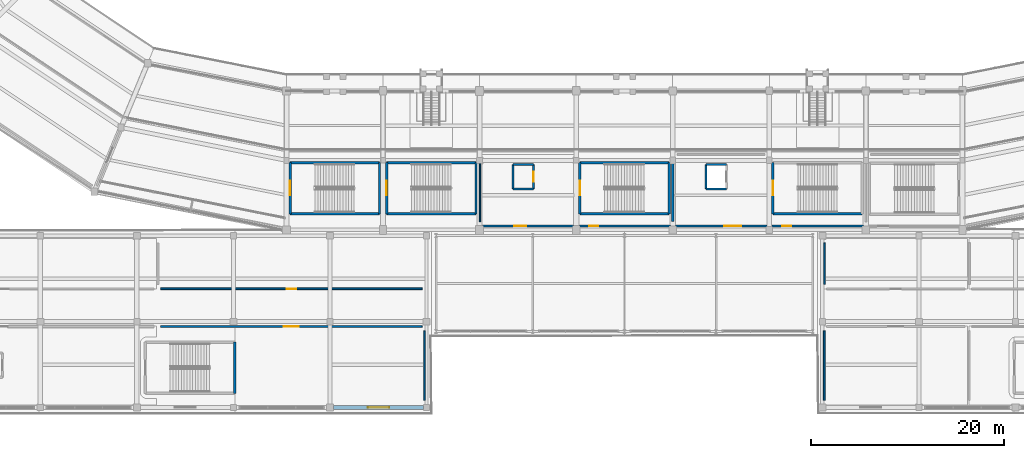
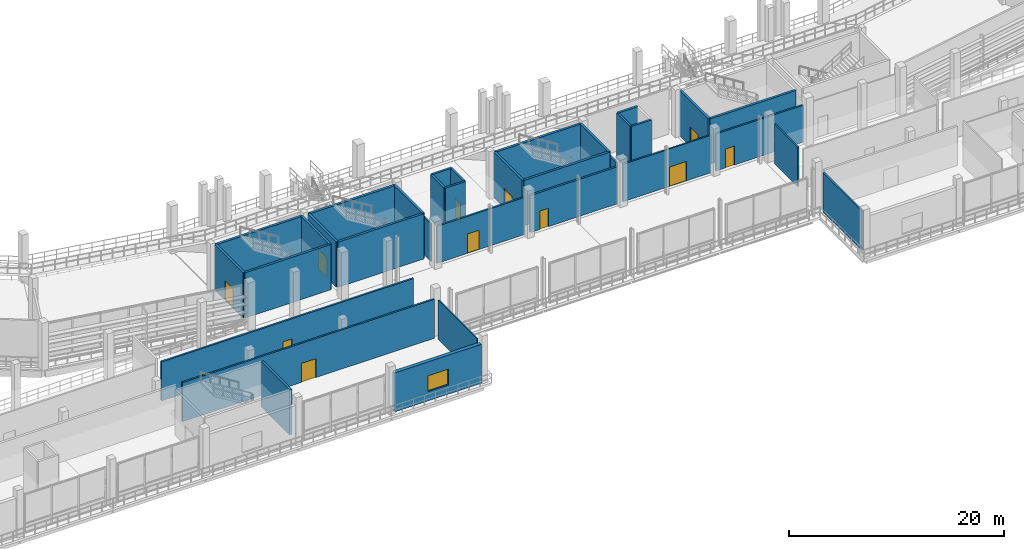
# One storey, part 74 of 127: 34 walls, 11 doors, 1 window, 12 openings.
"""IFC4 building model written with IfcOpenShell, lengths in metres."""

from ifc_helpers import new_model, si_unit, direction, frame, frame_2d, origin, place, context, subcontext, project, spatial, rectangle, extrude, material, layer, layer_set, type_object, element, fill, save


model = new_model("IFC4")

# Units and contexts
model_context = context("Model", 3, precision=1e-05, world=origin(), true_north=direction((0.0, 1.0)))
body_context = subcontext(model_context, "Body", "Model", "MODEL_VIEW")
ifc_project = project(units=[si_unit("LENGTHUNIT", "METRE"), si_unit("AREAUNIT", "SQUARE_METRE"), si_unit("VOLUMEUNIT", "CUBIC_METRE"), si_unit("PLANEANGLEUNIT", "RADIAN"), si_unit("MASSUNIT", "GRAM", prefix="KILO")], contexts=[model_context])

# Site, building, storey
site_placement = place(None, origin())
site = spatial("IfcSite", under=ifc_project, at=site_placement, CompositionType="ELEMENT")
building_placement = place(site_placement, origin())
building = spatial("IfcBuilding", under=site, at=building_placement, Name="Candeia Ridge Stadium", CompositionType="ELEMENT")
storey_placement = place(building_placement, frame((0.0, 0.0, 10.800048828125)))
storey = spatial("IfcBuildingStorey", under=building, at=storey_placement, Name="L02", CompositionType="ELEMENT", Elevation=10.800048828125)

# Walls
ifc_material_1 = material(Name="Concrete C40/50", Category="concrete")
ifc_layer_1 = layer(ifc_material_1, 0.25, Name="Concrete C40/50", Category="concrete")
ifc_layer_set_1 = layer_set([ifc_layer_1], Name="Concrete C40/50")
wall_type_1 = type_object("IfcWallType", Name="Core Shear Wall Concrete 250", PredefinedType="SHEAR", material=ifc_layer_set_1)
wall_1_placement = place(storey_placement, frame((71.37548828125, 20.67529296875, 0.0), z_axis=(0.0, 0.0, 1.0), x_axis=(1.0, 0.0, 0.0)))
element("IfcWall", 1, at=wall_1_placement, inside=storey, type_object=wall_type_1, Name="Core C02 left shear wall L02", PredefinedType="SHEAR", context=body_context, shape_type="SweptSolid", body=[
    extrude(rectangle(XDim=9.2490234375, YDim=0.25, at=frame_2d((4.62451171875, 0.0))), origin(), (0.0, 0.0, 1.0), 5.14990234375),
])
wall_2_placement = place(storey_placement, frame((80.62451171875, 20.67529296875, 0.0), z_axis=(0.0, 0.0, 1.0), x_axis=(0.0, 1.0, 0.0)))
element("IfcWall", 2, at=wall_2_placement, inside=storey, type_object=wall_type_1, Name="Core C02 far shear wall L02", PredefinedType="SHEAR", context=body_context, shape_type="SweptSolid", body=[
    extrude(rectangle(XDim=5.29931640625, YDim=0.25, at=frame_2d((2.649658203125, 0.0))), origin(), (0.0, 0.0, 1.0), 5.14990234375),
])
wall_3_placement = place(storey_placement, frame((80.62451171875, 25.974609375, 0.0), z_axis=(0.0, 0.0, 1.0), x_axis=(-1.0, 0.0, 0.0)))
element("IfcWall", 3, at=wall_3_placement, inside=storey, type_object=wall_type_1, Name="Core C02 right shear wall L02", PredefinedType="SHEAR", context=body_context, shape_type="SweptSolid", body=[
    extrude(rectangle(XDim=9.2490234375, YDim=0.25, at=frame_2d((4.62451171875, 0.0))), origin(), (0.0, 0.0, 1.0), 5.14990234375),
])

# Wall, opening, door
wall_4_placement = place(storey_placement, frame((71.37548828125, 25.974609375, 0.0), z_axis=(0.0, 0.0, 1.0), x_axis=(0.0, -1.0, 0.0)))
wall_4 = element("IfcWall", 4, at=wall_4_placement, inside=storey, type_object=wall_type_1, Name="Core C02 near shear wall L02", PredefinedType="SHEAR", context=body_context, shape_type="SweptSolid", body=[
    extrude(rectangle(XDim=5.29931640625, YDim=0.25, at=frame_2d((2.649658203125, 0.0))), origin(), (0.0, 0.0, 1.0), 5.14990234375),
])
opening_1_placement = place(wall_4_placement, frame((1.899658203125, 0.0, 0.0)))
opening_1 = element("IfcOpeningElement", 5, at=opening_1_placement, cuts=wall_4, Name="Opening FD01", PredefinedType="OPENING", context=body_context, shape_type="SweptSolid", body=[
    extrude(rectangle(XDim=1.5, YDim=2.199951171875, at=frame_2d((0.75, 1.10009765625))), frame((0.0, 0.135009765625, 0.0), z_axis=(0.0, -1.0, 0.0), x_axis=(1.0, 0.0, 0.0)), (0.0, 0.0, 1.0), 0.27001953125),
])
ifc_material_2 = material(Name="Galvanized Fire-Rated Steel", Category="steel")
door_type_1 = type_object("IfcDoorType", Name="Exit Stair Core Fire Door 1500x2200", OperationType="NOTDEFINED", PredefinedType="DOOR", material=ifc_material_2)
door_1_placement = place(opening_1_placement, origin())
door_1 = element("IfcDoor", 6, at=door_1_placement, inside=storey, type_object=door_type_1, Name="Exit stair fire door SD-ST02-L02", OperationType="DOUBLE_DOOR_SINGLE_SWING", OverallHeight=2.199951171875, OverallWidth=1.5, PredefinedType="DOOR", context=body_context, shape_type="SweptSolid", body=[
    extrude(rectangle(XDim=1.5, YDim=2.199951171875, at=frame_2d((0.75, 1.10009765625))), frame((0.0, 0.02490234375, 0.0), z_axis=(0.0, -1.0, 0.0), x_axis=(1.0, 0.0, 0.0)), (0.0, 0.0, 1.0), 0.050048828125),
])
fill(opening_1, door_1)

# Walls
wall_5_placement = place(storey_placement, frame((81.37548828125, 20.67529296875, 0.0), z_axis=(0.0, 0.0, 1.0), x_axis=(1.0, 0.0, 0.0)))
element("IfcWall", 7, at=wall_5_placement, inside=storey, type_object=wall_type_1, Name="Core C11 left shear wall L02", PredefinedType="SHEAR", context=body_context, shape_type="SweptSolid", body=[
    extrude(rectangle(XDim=9.2490234375, YDim=0.25, at=frame_2d((4.62451171875, 0.0))), origin(), (0.0, 0.0, 1.0), 5.14990234375),
])
wall_6_placement = place(storey_placement, frame((90.62451171875, 20.67529296875, 0.0), z_axis=(0.0, 0.0, 1.0), x_axis=(0.0, 1.0, 0.0)))
element("IfcWall", 8, at=wall_6_placement, inside=storey, type_object=wall_type_1, Name="Core C11 far shear wall L02", PredefinedType="SHEAR", context=body_context, shape_type="SweptSolid", body=[
    extrude(rectangle(XDim=5.29931640625, YDim=0.25, at=frame_2d((2.649658203125, 0.0))), origin(), (0.0, 0.0, 1.0), 5.14990234375),
])
wall_7_placement = place(storey_placement, frame((90.62451171875, 25.974609375, 0.0), z_axis=(0.0, 0.0, 1.0), x_axis=(-1.0, 0.0, 0.0)))
element("IfcWall", 9, at=wall_7_placement, inside=storey, type_object=wall_type_1, Name="Core C11 right shear wall L02", PredefinedType="SHEAR", context=body_context, shape_type="SweptSolid", body=[
    extrude(rectangle(XDim=9.2490234375, YDim=0.25, at=frame_2d((4.62451171875, 0.0))), origin(), (0.0, 0.0, 1.0), 5.14990234375),
])

# Wall, opening, door
wall_8_placement = place(storey_placement, frame((81.37548828125, 25.974609375, 0.0), z_axis=(0.0, 0.0, 1.0), x_axis=(0.0, -1.0, 0.0)))
wall_8 = element("IfcWall", 10, at=wall_8_placement, inside=storey, type_object=wall_type_1, Name="Core C11 near shear wall L02", PredefinedType="SHEAR", context=body_context, shape_type="SweptSolid", body=[
    extrude(rectangle(XDim=5.29931640625, YDim=0.25, at=frame_2d((2.649658203125, 0.0))), origin(), (0.0, 0.0, 1.0), 5.14990234375),
])
opening_2_placement = place(wall_8_placement, frame((1.899658203125, 0.0, 0.0)))
opening_2 = element("IfcOpeningElement", 11, at=opening_2_placement, cuts=wall_8, Name="Opening FD01", PredefinedType="OPENING", context=body_context, shape_type="SweptSolid", body=[
    extrude(rectangle(XDim=1.5, YDim=2.199951171875, at=frame_2d((0.75, 1.10009765625))), frame((0.0, 0.135009765625, 0.0), z_axis=(0.0, -1.0, 0.0), x_axis=(1.0, 0.0, 0.0)), (0.0, 0.0, 1.0), 0.27001953125),
])
door_2_placement = place(opening_2_placement, origin())
door_2 = element("IfcDoor", 12, at=door_2_placement, inside=storey, type_object=door_type_1, Name="Exit stair fire door SD-ST11-L02", OperationType="DOUBLE_DOOR_SINGLE_SWING", OverallHeight=2.199951171875, OverallWidth=1.5, PredefinedType="DOOR", context=body_context, shape_type="SweptSolid", body=[
    extrude(rectangle(XDim=1.5, YDim=2.199951171875, at=frame_2d((0.75, 1.10009765625))), frame((0.0, 0.02490234375, 0.0), z_axis=(0.0, -1.0, 0.0), x_axis=(1.0, 0.0, 0.0)), (0.0, 0.0, 1.0), 0.050048828125),
])
fill(opening_2, door_2)

# Wall
wall_9_placement = place(storey_placement, frame((121.37548828125, 20.67529296875, 0.0), z_axis=(0.0, 0.0, 1.0), x_axis=(1.0, 0.0, 0.0)))
element("IfcWall", 13, at=wall_9_placement, inside=storey, type_object=wall_type_1, Name="Core C12 left shear wall L02", PredefinedType="SHEAR", context=body_context, shape_type="SweptSolid", body=[
    extrude(rectangle(XDim=9.2490234375, YDim=0.25, at=frame_2d((4.62451171875, 0.0))), origin(), (0.0, 0.0, 1.0), 5.14990234375),
])

# Wall, opening, door
wall_10_placement = place(storey_placement, frame((121.37548828125, 25.974609375, 0.0), z_axis=(0.0, 0.0, 1.0), x_axis=(0.0, -1.0, 0.0)))
wall_10 = element("IfcWall", 14, at=wall_10_placement, inside=storey, type_object=wall_type_1, Name="Core C12 near shear wall L02", PredefinedType="SHEAR", context=body_context, shape_type="SweptSolid", body=[
    extrude(rectangle(XDim=5.29931640625, YDim=0.25, at=frame_2d((2.649658203125, 0.0))), origin(), (0.0, 0.0, 1.0), 5.14990234375),
])
opening_3_placement = place(wall_10_placement, frame((1.899658203125, 0.0, 0.0)))
opening_3 = element("IfcOpeningElement", 15, at=opening_3_placement, cuts=wall_10, Name="Opening FD01", PredefinedType="OPENING", context=body_context, shape_type="SweptSolid", body=[
    extrude(rectangle(XDim=1.5, YDim=2.199951171875, at=frame_2d((0.75, 1.10009765625))), frame((0.0, 0.135009765625, 0.0), z_axis=(0.0, -1.0, 0.0), x_axis=(1.0, 0.0, 0.0)), (0.0, 0.0, 1.0), 0.27001953125),
])
door_3_placement = place(opening_3_placement, origin())
door_3 = element("IfcDoor", 16, at=door_3_placement, inside=storey, type_object=door_type_1, Name="Exit stair fire door SD-ST12-L02", OperationType="DOUBLE_DOOR_SINGLE_SWING", OverallHeight=2.199951171875, OverallWidth=1.5, PredefinedType="DOOR", context=body_context, shape_type="SweptSolid", body=[
    extrude(rectangle(XDim=1.5, YDim=2.199951171875, at=frame_2d((0.75, 1.10009765625))), frame((0.0, 0.02490234375, 0.0), z_axis=(0.0, -1.0, 0.0), x_axis=(1.0, 0.0, 0.0)), (0.0, 0.0, 1.0), 0.050048828125),
])
fill(opening_3, door_3)

# Walls
wall_11_placement = place(storey_placement, frame((65.62451171875, 2.075439453125, 0.0), z_axis=(0.0, 0.0, 1.0), x_axis=(0.0, 1.0, 0.0)))
element("IfcWall", 17, at=wall_11_placement, inside=storey, type_object=wall_type_1, Name="Core C13 far shear wall L02", PredefinedType="SHEAR", context=body_context, shape_type="SweptSolid", body=[
    extrude(rectangle(XDim=5.299072265625, YDim=0.25, at=frame_2d((2.6494140625, 0.0))), origin(), (0.0, 0.0, 1.0), 5.14990234375),
])
wall_12_placement = place(storey_placement, frame((101.37548828125, 20.67529296875, 0.0), z_axis=(0.0, 0.0, 1.0), x_axis=(1.0, 0.0, 0.0)))
element("IfcWall", 18, at=wall_12_placement, inside=storey, type_object=wall_type_1, Name="Core C18 left shear wall L02", PredefinedType="SHEAR", context=body_context, shape_type="SweptSolid", body=[
    extrude(rectangle(XDim=9.2490234375, YDim=0.25, at=frame_2d((4.62451171875, 0.0))), origin(), (0.0, 0.0, 1.0), 5.14990234375),
])
wall_13_placement = place(storey_placement, frame((110.62451171875, 20.67529296875, 0.0), z_axis=(0.0, 0.0, 1.0), x_axis=(0.0, 1.0, 0.0)))
element("IfcWall", 19, at=wall_13_placement, inside=storey, type_object=wall_type_1, Name="Core C18 far shear wall L02", PredefinedType="SHEAR", context=body_context, shape_type="SweptSolid", body=[
    extrude(rectangle(XDim=5.29931640625, YDim=0.25, at=frame_2d((2.649658203125, 0.0))), origin(), (0.0, 0.0, 1.0), 5.14990234375),
])
wall_14_placement = place(storey_placement, frame((110.62451171875, 25.974609375, 0.0), z_axis=(0.0, 0.0, 1.0), x_axis=(-1.0, 0.0, 0.0)))
element("IfcWall", 20, at=wall_14_placement, inside=storey, type_object=wall_type_1, Name="Core C18 right shear wall L02", PredefinedType="SHEAR", context=body_context, shape_type="SweptSolid", body=[
    extrude(rectangle(XDim=9.2490234375, YDim=0.25, at=frame_2d((4.62451171875, 0.0))), origin(), (0.0, 0.0, 1.0), 5.14990234375),
])

# Wall, opening, door
wall_15_placement = place(storey_placement, frame((101.37548828125, 25.974609375, 0.0), z_axis=(0.0, 0.0, 1.0), x_axis=(0.0, -1.0, 0.0)))
wall_15 = element("IfcWall", 21, at=wall_15_placement, inside=storey, type_object=wall_type_1, Name="Core C18 near shear wall L02", PredefinedType="SHEAR", context=body_context, shape_type="SweptSolid", body=[
    extrude(rectangle(XDim=5.29931640625, YDim=0.25, at=frame_2d((2.649658203125, 0.0))), origin(), (0.0, 0.0, 1.0), 5.14990234375),
])
opening_4_placement = place(wall_15_placement, frame((1.899658203125, 0.0, 0.0)))
opening_4 = element("IfcOpeningElement", 22, at=opening_4_placement, cuts=wall_15, Name="Opening FD01", PredefinedType="OPENING", context=body_context, shape_type="SweptSolid", body=[
    extrude(rectangle(XDim=1.5, YDim=2.199951171875, at=frame_2d((0.75, 1.10009765625))), frame((0.0, 0.135009765625, 0.0), z_axis=(0.0, -1.0, 0.0), x_axis=(1.0, 0.0, 0.0)), (0.0, 0.0, 1.0), 0.27001953125),
])
door_4_placement = place(opening_4_placement, origin())
door_4 = element("IfcDoor", 23, at=door_4_placement, inside=storey, type_object=door_type_1, Name="Exit stair fire door SD-ST18-L02", OperationType="DOUBLE_DOOR_SINGLE_SWING", OverallHeight=2.199951171875, OverallWidth=1.5, PredefinedType="DOOR", context=body_context, shape_type="SweptSolid", body=[
    extrude(rectangle(XDim=1.5, YDim=2.199951171875, at=frame_2d((0.75, 1.10009765625))), frame((0.0, 0.02490234375, 0.0), z_axis=(0.0, -1.0, 0.0), x_axis=(1.0, 0.0, 0.0)), (0.0, 0.0, 1.0), 0.050048828125),
])
fill(opening_4, door_4)

ifc_material_3 = material(Name="Gypsum Acoustic Twin-Stud Assembly", Category="gypsum")
ifc_layer_2 = layer(ifc_material_3, 0.179931640625, Name="Gypsum Acoustic Twin-Stud Assembly", Category="gypsum")
ifc_layer_set_2 = layer_set([ifc_layer_2], Name="Gypsum Acoustic Twin-Stud Assembly")
wall_type_2 = type_object("IfcWallType", Name="Corridor Fire Partition 180", PredefinedType="PARTITIONING", material=ifc_layer_set_2)
wall_16_placement = place(storey_placement, frame((130.75, 19.39990234375, 0.0), z_axis=(0.0, 0.0, 1.0), x_axis=(-1.0, 0.0, 0.0)))
wall_16 = element("IfcWall", 24, at=wall_16_placement, inside=storey, type_object=wall_type_2, Name="Interior partition PT-L02-0481", PredefinedType="PARTITIONING", context=body_context, shape_type="SweptSolid", body=[
    extrude(rectangle(XDim=9.4599609375, YDim=0.179931640625, at=frame_2d((4.72998046875, 0.0))), origin(), (0.0, 0.0, 1.0), 4.21484375),
])
opening_5_placement = place(wall_16_placement, frame((7.455078125, 0.0, 0.0)))
opening_5 = element("IfcOpeningElement", 25, at=opening_5_placement, cuts=wall_16, Name="Opening ID05", PredefinedType="OPENING", context=body_context, shape_type="SweptSolid", body=[
    extrude(rectangle(XDim=0.949951171875, YDim=2.14990234375, at=frame_2d((0.47509765625, 1.074951171875))), frame((0.0, 0.099853515625, 0.0), z_axis=(0.0, -1.0, 0.0), x_axis=(1.0, 0.0, 0.0)), (0.0, 0.0, 1.0), 0.199951171875),
])
ifc_material_4 = material(Name="Solid Core Cedar Veneer", Category="wood")
door_type_2 = type_object("IfcDoorType", Name="General Room Single Door 950x2150", OperationType="NOTDEFINED", PredefinedType="DOOR", material=ifc_material_4)
door_5_placement = place(opening_5_placement, frame((0.949951171875, 0.0, 0.0), z_axis=(0.0, 0.0, 1.0), x_axis=(-1.0, 0.0, 0.0)))
door_5 = element("IfcDoor", 26, at=door_5_placement, inside=storey, type_object=door_type_2, Name="Interior room door D-L02-0248", OperationType="SINGLE_SWING_RIGHT", OverallHeight=2.14990234375, OverallWidth=0.949951171875, PredefinedType="DOOR", context=body_context, shape_type="SweptSolid", body=[
    extrude(rectangle(XDim=0.949951171875, YDim=2.14990234375, at=frame_2d((0.47509765625, 1.074951171875))), frame((0.0, 0.02490234375, 0.0), z_axis=(0.0, -1.0, 0.0), x_axis=(1.0, 0.0, 0.0)), (0.0, 0.0, 1.0), 0.050048828125),
])
fill(opening_5, door_5)

# Wall, opening, window
ifc_layer_3 = layer(ifc_material_1, 0.3798828125, Name="Concrete C40/50", Category="concrete")
ifc_layer_set_3 = layer_set([ifc_layer_3], Name="Concrete C40/50")
wall_type_3 = type_object("IfcWallType", Name="Exterior Museum Gallery Wall 380", PredefinedType="SOLIDWALL", material=ifc_layer_set_3)
wall_17_placement = place(storey_placement, frame((75.837890625, 0.60009765625, 0.0), z_axis=(0.0, 0.0, 1.0), x_axis=(1.0, 0.0, 0.0)))
wall_17 = element("IfcWall", 27, at=wall_17_placement, inside=storey, type_object=wall_type_3, Name="Exterior facade wall EW-L02-0178", PredefinedType="SOLIDWALL", context=body_context, shape_type="SweptSolid", body=[
    extrude(rectangle(XDim=9.34912109375, YDim=0.3798828125, at=frame_2d((4.674560546875, 0.0))), origin(), (0.0, 0.0, 1.0), 4.43505859375),
])
opening_6_placement = place(wall_17_placement, frame((3.574462890625, 0.0, 1.050048828125)))
opening_6 = element("IfcOpeningElement", 28, at=opening_6_placement, cuts=wall_17, Name="Opening W07", PredefinedType="OPENING", context=body_context, shape_type="SweptSolid", body=[
    extrude(rectangle(XDim=2.199951171875, YDim=1.800048828125, at=frame_2d((1.10009765625, 0.89990234375))), frame((0.0, 0.199951171875, 0.0), z_axis=(0.0, -1.0, 0.0), x_axis=(1.0, 0.0, 0.0)), (0.0, 0.0, 1.0), 0.39990234375),
])
ifc_material_5 = material(Name="Tempered Solar-Control Double Glazing", Category="glass")
window_type = type_object("IfcWindowType", Name="Museum Gallery Window 2200x1800", PartitioningType="SINGLE_PANEL", PredefinedType="WINDOW", material=ifc_material_5)
window_placement = place(opening_6_placement, origin())
window = element("IfcWindow", 29, at=window_placement, inside=storey, type_object=window_type, Name="Exterior window WIN-L02-099", OverallHeight=1.800048828125, OverallWidth=2.199951171875, PartitioningType="SINGLE_PANEL", PredefinedType="WINDOW", context=body_context, shape_type="SweptSolid", body=[
    extrude(rectangle(XDim=2.199951171875, YDim=1.800048828125, at=frame_2d((1.10009765625, 0.89990234375))), frame((0.0, 0.030029296875, 0.0), z_axis=(0.0, -1.0, 0.0), x_axis=(1.0, 0.0, 0.0)), (0.0, 0.0, 1.0), 0.06005859375),
])
fill(opening_6, window)

# Walls
ifc_material_6 = material(Name="Gypsum Metal-Stud Partition", Category="gypsum")
ifc_layer_4 = layer(ifc_material_6, 0.135009765625, Name="Gypsum Metal-Stud Partition", Category="gypsum")
ifc_layer_set_4 = layer_set([ifc_layer_4], Name="Gypsum Metal-Stud Partition")
wall_type_4 = type_object("IfcWallType", Name="General Room Partition 135", PredefinedType="PARTITIONING", material=ifc_layer_set_4)
wall_18_placement = place(storey_placement, frame((85.300048828125, 8.550048828125, 0.0), z_axis=(0.0, 0.0, 1.0), x_axis=(0.0, -1.0, 0.0)))
element("IfcWall", 30, at=wall_18_placement, inside=storey, type_object=wall_type_4, Name="Demising partition PT-L02-0392", PredefinedType="PARTITIONING", context=body_context, shape_type="SweptSolid", body=[
    extrude(rectangle(XDim=7.199951171875, YDim=0.135009765625, at=frame_2d((3.60009765625, 0.0))), origin(), (0.0, 0.0, 1.0), 4.48486328125),
])
wall_19_placement = place(storey_placement, frame((91.0400390625, 19.85009765625, 0.0), z_axis=(0.0, 0.0, 1.0), x_axis=(0.0, 1.0, 0.0)))
element("IfcWall", 31, at=wall_19_placement, inside=storey, type_object=wall_type_4, Name="Demising partition PT-L02-0476", PredefinedType="PARTITIONING", context=body_context, shape_type="SweptSolid", body=[
    extrude(rectangle(XDim=6.5, YDim=0.135009765625, at=frame_2d((3.25, 0.0))), origin(), (0.0, 0.0, 1.0), 4.284912109375),
])
ifc_layer_5 = layer(ifc_material_1, 0.219970703125, Name="Concrete C40/50", Category="concrete")
ifc_layer_set_5 = layer_set([ifc_layer_5], Name="Concrete C40/50")
wall_type_5 = type_object("IfcWallType", Name="Lift & Riser Shaft Wall 220", PredefinedType="SHEAR", material=ifc_layer_set_5)
wall_20_placement = place(storey_placement, frame((94.43994140625, 23.239990234375, 0.0), z_axis=(0.0, 0.0, 1.0), x_axis=(1.0, 0.0, 0.0)))
element("IfcWall", 32, at=wall_20_placement, inside=storey, type_object=wall_type_5, Name="Lift PL3 shaft wall L02 south", PredefinedType="SHEAR", context=body_context, shape_type="SweptSolid", body=[
    extrude(rectangle(XDim=2.1201171875, YDim=0.219970703125, at=frame_2d((1.06005859375, 0.0))), origin(), (0.0, 0.0, 1.0), 5.14990234375),
])

# Wall, opening, door
wall_21_placement = place(storey_placement, frame((96.56005859375, 23.239990234375, 0.0), z_axis=(0.0, 0.0, 1.0), x_axis=(0.0, 1.0, 0.0)))
wall_21 = element("IfcWall", 33, at=wall_21_placement, inside=storey, type_object=wall_type_5, Name="Lift PL3 shaft wall L02 east", PredefinedType="SHEAR", context=body_context, shape_type="SweptSolid", body=[
    extrude(rectangle(XDim=2.52001953125, YDim=0.219970703125, at=frame_2d((1.260009765625, 0.0))), origin(), (0.0, 0.0, 1.0), 5.14990234375),
])
opening_7_placement = place(wall_21_placement, frame((0.735107421875, 0.0, 0.0)))
opening_7 = element("IfcOpeningElement", 34, at=opening_7_placement, cuts=wall_21, Name="Opening LD02", PredefinedType="OPENING", context=body_context, shape_type="SweptSolid", body=[
    extrude(rectangle(XDim=1.050048828125, YDim=2.14990234375, at=frame_2d((0.52490234375, 1.074951171875))), frame((0.0, 0.119873046875, 0.0), z_axis=(0.0, -1.0, 0.0), x_axis=(1.0, 0.0, 0.0)), (0.0, 0.0, 1.0), 0.239990234375),
])
ifc_material_7 = material(Name="Brushed Stainless Steel", Category="steel")
door_type_3 = type_object("IfcDoorType", Name="Passenger Lift Landing Door 1050x2150", OperationType="NOTDEFINED", PredefinedType="DOOR", material=ifc_material_7)
door_6_placement = place(opening_7_placement, origin())
door_6 = element("IfcDoor", 35, at=door_6_placement, inside=storey, type_object=door_type_3, Name="Lift landing sliding door LD-PL3-L02", OperationType="DOUBLE_DOOR_SLIDING", OverallHeight=2.14990234375, OverallWidth=1.050048828125, PredefinedType="DOOR", context=body_context, shape_type="SweptSolid", body=[
    extrude(rectangle(XDim=1.050048828125, YDim=2.14990234375, at=frame_2d((0.52490234375, 1.074951171875))), frame((0.0, 0.02490234375, 0.0), z_axis=(0.0, -1.0, 0.0), x_axis=(1.0, 0.0, 0.0)), (0.0, 0.0, 1.0), 0.050048828125),
])
fill(opening_7, door_6)

# Walls
wall_22_placement = place(storey_placement, frame((96.56005859375, 25.760009765625, 0.0), z_axis=(0.0, 0.0, 1.0), x_axis=(-1.0, 0.0, 0.0)))
element("IfcWall", 36, at=wall_22_placement, inside=storey, type_object=wall_type_5, Name="Lift PL3 shaft wall L02 north", PredefinedType="SHEAR", context=body_context, shape_type="SweptSolid", body=[
    extrude(rectangle(XDim=2.1201171875, YDim=0.219970703125, at=frame_2d((1.06005859375, 0.0))), origin(), (0.0, 0.0, 1.0), 5.14990234375),
])
wall_23_placement = place(storey_placement, frame((94.43994140625, 25.760009765625, 0.0), z_axis=(0.0, 0.0, 1.0), x_axis=(0.0, -1.0, 0.0)))
element("IfcWall", 37, at=wall_23_placement, inside=storey, type_object=wall_type_5, Name="Lift PL3 shaft wall L02 west", PredefinedType="SHEAR", context=body_context, shape_type="SweptSolid", body=[
    extrude(rectangle(XDim=2.52001953125, YDim=0.219970703125, at=frame_2d((1.260009765625, 0.0))), origin(), (0.0, 0.0, 1.0), 5.14990234375),
])
for number, where, z_axis, x_axis, name in (
    (38, (114.43994140625, 23.239990234375, 0.0), (0.0, 0.0, 1.0), (1.0, 0.0, 0.0), "Lift PL4 shaft wall L02 south"),
    (39, (116.56005859375, 25.760009765625, 0.0), (0.0, 0.0, 1.0), (-1.0, 0.0, 0.0), "Lift PL4 shaft wall L02 north"),
):
    element("IfcWall", number, at=place(storey_placement, frame(where, z_axis=z_axis, x_axis=x_axis)), inside=storey, type_object=wall_type_5, Name=name, PredefinedType="SHEAR", context=body_context, shape_type="SweptSolid", body=[
        extrude(rectangle(XDim=2.1201171875, YDim=0.219970703125, at=frame_2d((1.06005859375, 0.0))), origin(), (0.0, 0.0, 1.0), 5.14990234375),
    ])
wall_24_placement = place(storey_placement, frame((114.43994140625, 25.760009765625, 0.0), z_axis=(0.0, 0.0, 1.0), x_axis=(0.0, -1.0, 0.0)))
element("IfcWall", 40, at=wall_24_placement, inside=storey, type_object=wall_type_5, Name="Lift PL4 shaft wall L02 west", PredefinedType="SHEAR", context=body_context, shape_type="SweptSolid", body=[
    extrude(rectangle(XDim=2.52001953125, YDim=0.219970703125, at=frame_2d((1.260009765625, 0.0))), origin(), (0.0, 0.0, 1.0), 5.14990234375),
])

# Wall, opening, door
ifc_material_8 = material(Name="Gypsum Acoustic Triple-Board Wall", Category="gypsum")
ifc_layer_6 = layer(ifc_material_8, 0.18994140625, Name="Gypsum Acoustic Triple-Board Wall", Category="gypsum")
ifc_layer_set_6 = layer_set([ifc_layer_6], Name="Gypsum Acoustic Triple-Board Wall")
wall_type_6 = type_object("IfcWallType", Name="Media & Commentary Studio Wall 190", PredefinedType="PARTITIONING", material=ifc_layer_set_6)
wall_25_placement = place(storey_placement, frame((85.050048828125, 12.89990234375, 0.0), z_axis=(0.0, 0.0, 1.0), x_axis=(-1.0, 0.0, 0.0)))
wall_25 = element("IfcWall", 41, at=wall_25_placement, inside=storey, type_object=wall_type_6, Name="Interior partition PT-L02-0393", PredefinedType="PARTITIONING", context=body_context, shape_type="SweptSolid", body=[
    extrude(rectangle(XDim=27.10009765625, YDim=0.18994140625, at=frame_2d((13.550048828125, 0.0))), origin(), (0.0, 0.0, 1.0), 4.43505859375),
])
opening_8_placement = place(wall_25_placement, frame((13.070068359375, 0.0, 0.0)))
opening_8 = element("IfcOpeningElement", 42, at=opening_8_placement, cuts=wall_25, Name="Opening ID17", PredefinedType="OPENING", context=body_context, shape_type="SweptSolid", body=[
    extrude(rectangle(XDim=0.9599609375, YDim=2.14990234375, at=frame_2d((0.47998046875, 1.074951171875))), frame((0.0, 0.10498046875, 0.0), z_axis=(0.0, -1.0, 0.0), x_axis=(1.0, 0.0, 0.0)), (0.0, 0.0, 1.0), 0.2099609375),
])
door_type_4 = type_object("IfcDoorType", Name="Ticketing Office Single Door 960x2150", OperationType="NOTDEFINED", PredefinedType="DOOR", material=ifc_material_4)
door_7_placement = place(opening_8_placement, origin())
door_7 = element("IfcDoor", 43, at=door_7_placement, inside=storey, type_object=door_type_4, Name="Interior room door D-L02-0204", OperationType="SINGLE_SWING_LEFT", OverallHeight=2.14990234375, OverallWidth=0.9599609375, PredefinedType="DOOR", context=body_context, shape_type="SweptSolid", body=[
    extrude(rectangle(XDim=0.9599609375, YDim=2.14990234375, at=frame_2d((0.47998046875, 1.074951171875))), frame((0.0, 0.02490234375, 0.0), z_axis=(0.0, -1.0, 0.0), x_axis=(1.0, 0.0, 0.0)), (0.0, 0.0, 1.0), 0.050048828125),
])
fill(opening_8, door_7)

wall_26_placement = place(storey_placement, frame((100.75, 19.39990234375, 0.0), z_axis=(0.0, 0.0, 1.0), x_axis=(-1.0, 0.0, 0.0)))
wall_26 = element("IfcWall", 44, at=wall_26_placement, inside=storey, type_object=wall_type_6, Name="Interior partition PT-L02-0475", PredefinedType="PARTITIONING", context=body_context, shape_type="SweptSolid", body=[
    extrude(rectangle(XDim=9.4599609375, YDim=0.18994140625, at=frame_2d((4.72998046875, 0.0))), origin(), (0.0, 0.0, 1.0), 4.21484375),
])
opening_9_placement = place(wall_26_placement, frame((4.905029296875, 0.0, 0.0)))
opening_9 = element("IfcOpeningElement", 45, at=opening_9_placement, cuts=wall_26, Name="Opening ID11", PredefinedType="OPENING", context=body_context, shape_type="SweptSolid", body=[
    extrude(rectangle(XDim=1.25, YDim=2.199951171875, at=frame_2d((0.625, 1.10009765625))), frame((0.0, 0.10498046875, 0.0), z_axis=(0.0, -1.0, 0.0), x_axis=(1.0, 0.0, 0.0)), (0.0, 0.0, 1.0), 0.2099609375),
])
ifc_material_9 = material(Name="Acoustic Timber Studio Leaf", Category="wood")
door_type_5 = type_object("IfcDoorType", Name="Press Tribune Acoustic Door 1250x2200", OperationType="NOTDEFINED", PredefinedType="DOOR", material=ifc_material_9)
door_8_placement = place(opening_9_placement, origin())
door_8 = element("IfcDoor", 46, at=door_8_placement, inside=storey, type_object=door_type_5, Name="Interior room door D-L02-0245", OperationType="SINGLE_SWING_RIGHT", OverallHeight=2.199951171875, OverallWidth=1.25, PredefinedType="DOOR", context=body_context, shape_type="SweptSolid", body=[
    extrude(rectangle(XDim=1.25, YDim=2.199951171875, at=frame_2d((0.625, 1.10009765625))), frame((0.0, 0.02490234375, 0.0), z_axis=(0.0, -1.0, 0.0), x_axis=(1.0, 0.0, 0.0)), (0.0, 0.0, 1.0), 0.050048828125),
])
fill(opening_9, door_8)

ifc_layer_7 = layer(ifc_material_8, 0.18505859375, Name="Gypsum Acoustic Triple-Board Wall", Category="gypsum")
ifc_layer_set_7 = layer_set([ifc_layer_7], Name="Gypsum Acoustic Triple-Board Wall")
wall_type_7 = type_object("IfcWallType", Name="Media Booth Studio Divider 185", PredefinedType="PARTITIONING", material=ifc_layer_set_7)
wall_27_placement = place(storey_placement, frame((57.949951171875, 9.0, 0.0), z_axis=(0.0, 0.0, 1.0), x_axis=(1.0, 0.0, 0.0)))
wall_27 = element("IfcWall", 47, at=wall_27_placement, inside=storey, type_object=wall_type_7, Name="Interior partition PT-L02-0391", PredefinedType="PARTITIONING", context=body_context, shape_type="SweptSolid", body=[
    extrude(rectangle(XDim=27.10009765625, YDim=0.18505859375, at=frame_2d((13.550048828125, 0.0))), origin(), (0.0, 0.0, 1.0), 4.43505859375),
])
opening_10_placement = place(wall_27_placement, frame((12.77490234375, 0.0, 0.0)))
opening_10 = element("IfcOpeningElement", 48, at=opening_10_placement, cuts=wall_27, Name="Opening ID14", PredefinedType="OPENING", context=body_context, shape_type="SweptSolid", body=[
    extrude(rectangle(XDim=1.550048828125, YDim=2.14990234375, at=frame_2d((0.77490234375, 1.074951171875))), frame((0.0, 0.1025390625, 0.0), z_axis=(0.0, -1.0, 0.0), x_axis=(1.0, 0.0, 0.0)), (0.0, 0.0, 1.0), 0.205078125),
])
door_type_6 = type_object("IfcDoorType", Name="Catering Kitchen Double Door 1550x2150", OperationType="NOTDEFINED", PredefinedType="DOOR", material=ifc_material_7)
door_9_placement = place(opening_10_placement, origin())
door_9 = element("IfcDoor", 49, at=door_9_placement, inside=storey, type_object=door_type_6, Name="Interior room door D-L02-0203", OperationType="DOUBLE_DOOR_SINGLE_SWING", OverallHeight=2.14990234375, OverallWidth=1.550048828125, PredefinedType="DOOR", context=body_context, shape_type="SweptSolid", body=[
    extrude(rectangle(XDim=1.550048828125, YDim=2.14990234375, at=frame_2d((0.77490234375, 1.074951171875))), frame((0.0, 0.02490234375, 0.0), z_axis=(0.0, -1.0, 0.0), x_axis=(1.0, 0.0, 0.0)), (0.0, 0.0, 1.0), 0.050048828125),
])
fill(opening_10, door_9)

# Wall
ifc_layer_8 = layer(ifc_material_3, 0.175048828125, Name="Gypsum Acoustic Twin-Stud Assembly", Category="gypsum")
ifc_layer_set_8 = layer_set([ifc_layer_8], Name="Gypsum Acoustic Twin-Stud Assembly")
wall_type_8 = type_object("IfcWallType", Name="Museum Acoustic Gallery Wall 175", PredefinedType="PARTITIONING", material=ifc_layer_set_8)
wall_28_placement = place(storey_placement, frame((126.699951171875, 1.35009765625, 0.0), z_axis=(0.0, 0.0, 1.0), x_axis=(0.0, 1.0, 0.0)))
element("IfcWall", 50, at=wall_28_placement, inside=storey, type_object=wall_type_8, Name="Demising partition PT-L02-0396", PredefinedType="PARTITIONING", context=body_context, shape_type="SweptSolid", body=[
    extrude(rectangle(XDim=7.199951171875, YDim=0.175048828125, at=frame_2d((3.60009765625, 0.0))), origin(), (0.0, 0.0, 1.0), 4.48486328125),
])

# Wall, opening, door
ifc_material_10 = material(Name="Moisture-Resistant Masonry & Tile", Category="masonry")
ifc_layer_9 = layer(ifc_material_10, 0.2099609375, Name="Moisture-Resistant Masonry & Tile", Category="masonry")
ifc_layer_set_9 = layer_set([ifc_layer_9], Name="Moisture-Resistant Masonry & Tile")
wall_type_9 = type_object("IfcWallType", Name="Sanitary Wet-Wall Plumbing Chase 210", PredefinedType="PLUMBINGWALL", material=ifc_layer_set_9)
wall_29_placement = place(storey_placement, frame((110.75, 19.39990234375, 0.0), z_axis=(0.0, 0.0, 1.0), x_axis=(-1.0, 0.0, 0.0)))
wall_29 = element("IfcWall", 51, at=wall_29_placement, inside=storey, type_object=wall_type_9, Name="Interior partition PT-L02-0477", PredefinedType="PLUMBINGWALL", context=body_context, shape_type="SweptSolid", body=[
    extrude(rectangle(XDim=9.4599609375, YDim=0.2099609375, at=frame_2d((4.72998046875, 0.0))), origin(), (0.0, 0.0, 1.0), 4.21484375),
])
opening_11_placement = place(wall_29_placement, frame((7.469970703125, 0.0, 0.0)))
opening_11 = element("IfcOpeningElement", 52, at=opening_11_placement, cuts=wall_29, Name="Opening ID15", PredefinedType="OPENING", context=body_context, shape_type="SweptSolid", body=[
    extrude(rectangle(XDim=0.919921875, YDim=2.10009765625, at=frame_2d((0.4599609375, 1.050048828125))), frame((0.0, 0.114990234375, 0.0), z_axis=(0.0, -1.0, 0.0), x_axis=(1.0, 0.0, 0.0)), (0.0, 0.0, 1.0), 0.22998046875),
])
ifc_material_11 = material(Name="Powder-Coated Hollow Metal", Category="steel")
door_type_7 = type_object("IfcDoorType", Name="Concourse Store Single Door 920x2100", OperationType="NOTDEFINED", PredefinedType="DOOR", material=ifc_material_11)
door_10_placement = place(opening_11_placement, frame((0.919921875, 0.0, 0.0), z_axis=(0.0, 0.0, 1.0), x_axis=(-1.0, 0.0, 0.0)))
door_10 = element("IfcDoor", 53, at=door_10_placement, inside=storey, type_object=door_type_7, Name="Interior room door D-L02-0246", OperationType="SINGLE_SWING_LEFT", OverallHeight=2.10009765625, OverallWidth=0.919921875, PredefinedType="DOOR", context=body_context, shape_type="SweptSolid", body=[
    extrude(rectangle(XDim=0.919921875, YDim=2.10009765625, at=frame_2d((0.4599609375, 1.050048828125))), frame((0.0, 0.02490234375, 0.0), z_axis=(0.0, -1.0, 0.0), x_axis=(1.0, 0.0, 0.0)), (0.0, 0.0, 1.0), 0.050048828125),
])
fill(opening_11, door_10)

# Walls
wall_30_placement = place(storey_placement, frame((111.0, 26.35009765625, 0.0), z_axis=(0.0, 0.0, 1.0), x_axis=(0.0, -1.0, 0.0)))
element("IfcWall", 54, at=wall_30_placement, inside=storey, type_object=wall_type_9, Name="Demising partition PT-L02-0478", PredefinedType="PLUMBINGWALL", context=body_context, shape_type="SweptSolid", body=[
    extrude(rectangle(XDim=6.5, YDim=0.2099609375, at=frame_2d((3.25, 0.0))), origin(), (0.0, 0.0, 1.0), 4.2548828125),
])
ifc_layer_10 = layer(ifc_material_3, 0.169921875, Name="Gypsum Acoustic Twin-Stud Assembly", Category="gypsum")
ifc_layer_set_10 = layer_set([ifc_layer_10], Name="Gypsum Acoustic Twin-Stud Assembly")
wall_type_10 = type_object("IfcWallType", Name="Skybox Demising Acoustic Wall 170", PredefinedType="PARTITIONING", material=ifc_layer_set_10)
wall_31_placement = place(storey_placement, frame((126.699951171875, 13.35009765625, 0.0), z_axis=(0.0, 0.0, 1.0), x_axis=(0.0, 1.0, 0.0)))
element("IfcWall", 55, at=wall_31_placement, inside=storey, type_object=wall_type_10, Name="Demising partition PT-L02-0398", PredefinedType="PARTITIONING", context=body_context, shape_type="SweptSolid", body=[
    extrude(rectangle(XDim=4.2998046875, YDim=0.169921875, at=frame_2d((2.14990234375, 0.0))), origin(), (0.0, 0.0, 1.0), 4.48486328125),
])

# Wall, opening, door
wall_32_placement = place(storey_placement, frame((120.75, 19.39990234375, 0.0), z_axis=(0.0, 0.0, 1.0), x_axis=(-1.0, 0.0, 0.0)))
wall_32 = element("IfcWall", 56, at=wall_32_placement, inside=storey, type_object=wall_type_10, Name="Interior partition PT-L02-0479", PredefinedType="PARTITIONING", context=body_context, shape_type="SweptSolid", body=[
    extrude(rectangle(XDim=9.4599609375, YDim=0.169921875, at=frame_2d((4.72998046875, 0.0))), origin(), (0.0, 0.0, 1.0), 4.2548828125),
])
opening_12_placement = place(wall_32_placement, frame((2.6298828125, 0.0, 0.0)))
opening_12 = element("IfcOpeningElement", 57, at=opening_12_placement, cuts=wall_32, Name="Opening FD03", PredefinedType="OPENING", context=body_context, shape_type="SweptSolid", body=[
    extrude(rectangle(XDim=1.800048828125, YDim=2.199951171875, at=frame_2d((0.89990234375, 1.10009765625))), frame((0.0, 0.094970703125, 0.0), z_axis=(0.0, -1.0, 0.0), x_axis=(1.0, 0.0, 0.0)), (0.0, 0.0, 1.0), 0.18994140625),
])
ifc_material_12 = material(Name="Timber Fire-Rated Acoustic", Category="wood")
door_type_8 = type_object("IfcDoorType", Name="Corridor Compartment Double Door 1800x2200", OperationType="NOTDEFINED", PredefinedType="DOOR", material=ifc_material_12)
door_11_placement = place(opening_12_placement, origin())
door_11 = element("IfcDoor", 58, at=door_11_placement, inside=storey, type_object=door_type_8, Name="Interior room door D-L02-0247", OperationType="DOUBLE_DOOR_SINGLE_SWING", OverallHeight=2.199951171875, OverallWidth=1.800048828125, PredefinedType="DOOR", context=body_context, shape_type="SweptSolid", body=[
    extrude(rectangle(XDim=1.800048828125, YDim=2.199951171875, at=frame_2d((0.89990234375, 1.10009765625))), frame((0.0, 0.02490234375, 0.0), z_axis=(0.0, -1.0, 0.0), x_axis=(1.0, 0.0, 0.0)), (0.0, 0.0, 1.0), 0.050048828125),
])
fill(opening_12, door_11)

save(model, "model.ifc")
